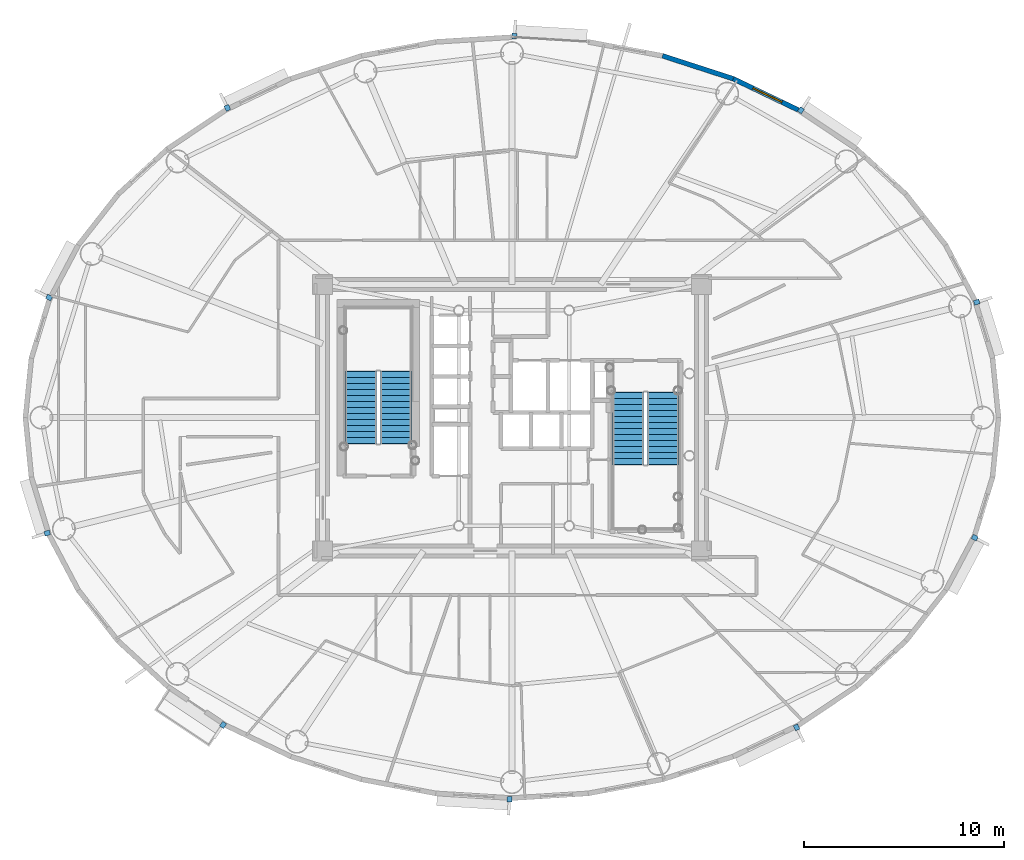
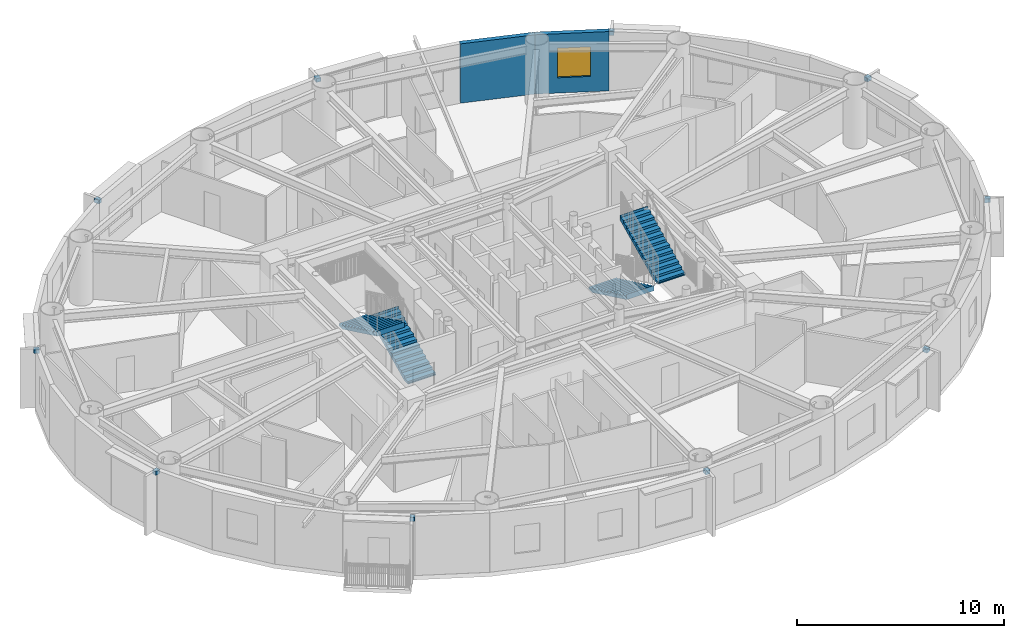
# One storey, part 12 of 19: 10 discrete accessories, 4 stair flights, 2 walls, 1 window, 1 opening, 2 elements without a shape of their own.
"""IFC4 building model written with IfcOpenShell, lengths in metres."""

from ifc_helpers import new_model, si_unit, direction, frame, frame_2d, origin, origin_2d, place, context, subcontext, project, spatial, polyline, rectangle, outline, extrude, source, transform, mapped, material, layer, layer_set, type_object, element, fill, aggregate, save


model = new_model("IFC4")

# Units and contexts
model_context = context("Model", 3, precision=1e-05, world=origin(), true_north=direction((0.0, 1.0)))
body_context = subcontext(model_context, "Body", "Model", "MODEL_VIEW")
ifc_project = project(units=[si_unit("LENGTHUNIT", "METRE"), si_unit("AREAUNIT", "SQUARE_METRE"), si_unit("VOLUMEUNIT", "CUBIC_METRE"), si_unit("PLANEANGLEUNIT", "RADIAN"), si_unit("MASSUNIT", "GRAM", prefix="KILO")], contexts=[model_context])

# Site, building, storey
site_placement = place(None, origin())
site = spatial("IfcSite", under=ifc_project, at=site_placement, CompositionType="ELEMENT")
building_placement = place(site_placement, origin())
building = spatial("IfcBuilding", under=site, at=building_placement, Name="Linh Dai School and Residence Tower", CompositionType="ELEMENT")
storey_placement = place(building_placement, frame((0.0, 0.0, 236.550048828125)))
storey = spatial("IfcBuildingStorey", under=building, at=storey_placement, Name="L58", CompositionType="ELEMENT", Elevation=236.550048828125)

# Wall, opening, window
ifc_material_1 = material(Name="Precast Concrete B45 (C35/45)", Category="concrete")
ifc_layer = layer(ifc_material_1, 0.239990234375)
ifc_layer_set = layer_set([ifc_layer], Name="Precast Concrete B45 (C35/45)")
wall_type = type_object("IfcWallType", Name="EW-TC-240", PredefinedType="SOLIDWALL", material=ifc_layer_set)
wall_1_placement = place(storey_placement, frame((47.031005859375, 43.906494140625, 0.0), z_axis=(0.0, 0.0, 1.0), x_axis=(0.901598104751, -0.432574684313, 0.0)))
wall_1 = element("IfcWall", 1, at=wall_1_placement, inside=storey, type_object=wall_type, Name="L58 Terracotta Exterior Wall 07", PredefinedType="SOLIDWALL", context=body_context, shape_type="SweptSolid", body=[
    extrude(rectangle(XDim=3.603515625, YDim=0.239990234375, at=frame_2d((1.8017578125, 0.0))), origin(), (0.0, 0.0, 1.0), 3.5),
])
opening_placement = place(wall_1_placement, frame((1.093994140625, 0.0, 0.89990234375)))
opening = element("IfcOpeningElement", 2, at=opening_placement, cuts=wall_1, Name="Opening W2", PredefinedType="OPENING", context=body_context, shape_type="SweptSolid", body=[
    extrude(rectangle(XDim=1.60009765625, YDim=1.75, at=origin_2d()), frame((0.800048828125, 0.1298828125, 0.875), z_axis=(0.0, -1.0, 0.0), x_axis=(1.0, 0.0, 0.0)), (0.0, 0.0, 1.0), 0.260009765625),
])
ifc_material_2 = material(Name="Double Low-E Insulated Glazing", Category="glass")
window_type = type_object("IfcWindowType", Name="WN-RES-1600x1750", PartitioningType="DOUBLE_PANEL_VERTICAL", PredefinedType="WINDOW", material=ifc_material_2)
shared_shape_1 = source(origin(), body_context, "Body", "SweptSolid", [
    extrude(rectangle(XDim=1.60009765625, YDim=1.75, at=origin_2d()), frame((0.800048828125, 0.030029296875, 0.875), z_axis=(0.0, -1.0, 0.0), x_axis=(1.0, 0.0, 0.0)), (0.0, 0.0, 1.0), 0.06005859375),
])
window_placement = place(opening_placement, origin())
window = element("IfcWindow", 3, at=window_placement, inside=storey, type_object=window_type, Name="L58 Exterior Window 07.1", OverallHeight=1.75, OverallWidth=1.60009765625, PartitioningType="DOUBLE_PANEL_VERTICAL", PredefinedType="WINDOW", context=body_context, shape_type="MappedRepresentation", body=[
    mapped(shared_shape_1, transform((0.0, 0.0, 0.0), x_axis=(1.0, 0.0, 0.0), y_axis=(0.0, 1.0, 0.0), z_axis=(0.0, 0.0, 1.0), scale=1.0)),
])
fill(opening, window)

# Wall
wall_2_placement = place(storey_placement, frame((43.50927734375, 45.048828125, 0.0), z_axis=(0.0, 0.0, 1.0), x_axis=(0.951210789182, -0.308541787354, 0.0)))
element("IfcWall", 4, at=wall_2_placement, inside=storey, type_object=wall_type, Name="L58 Terracotta Exterior Wall 08", PredefinedType="SOLIDWALL", context=body_context, shape_type="SweptSolid", body=[
    extrude(rectangle(XDim=3.702392578125, YDim=0.239990234375, at=frame_2d((1.85107421875, 0.0))), origin(), (0.0, 0.0, 1.0), 3.5),
])

# Stair, stair flights
ifc_material_3 = material(Name="Concrete B45 (C35/45)", Category="concrete")
stair_type = type_object("IfcStairType", Name="ST-DOG-1550-R1442", PredefinedType="HALF_TURN_STAIR", material=ifc_material_3)
stair_1_placement = place(storey_placement, origin())
stair_1 = element("IfcStair", 5, at=stair_1_placement, inside=storey, type_object=stair_type, Name="L58 Core Smokeproof Exit Stair ST1", PredefinedType="HALF_TURN_STAIR")
stair_flight_type = type_object("IfcStairFlightType", Name="STF-STR-1550-R1442", PredefinedType="STRAIGHT", material=ifc_material_3)
shared_shape_2 = source(origin(), body_context, "Body", "SweptSolid", [
    extrude(outline(polyline([(-0.02490234375, 0.0), (-0.02490234375, 0.06005859375), (0.0, 0.06005859375), (0.0, 0.144287109375), (0.300048828125, 0.144287109375), (0.300048828125, 0.28857421875), (0.60009765625, 0.28857421875), (0.60009765625, 0.4326171875), (0.89990234375, 0.4326171875), (0.89990234375, 0.576904296875), (1.199951171875, 0.576904296875), (1.199951171875, 0.72119140625), (1.5, 0.72119140625), (1.5, 0.865478515625), (1.800048828125, 0.865478515625), (1.800048828125, 1.009521484375), (2.10009765625, 1.009521484375), (2.10009765625, 1.15380859375), (2.39990234375, 1.15380859375), (2.39990234375, 1.298095703125), (2.699951171875, 1.298095703125), (2.699951171875, 1.4423828125), (3.0, 1.4423828125), (3.0, 1.58642578125), (3.300048828125, 1.58642578125), (3.300048828125, 1.730712890625), (3.60009765625, 1.730712890625), (3.60009765625, 1.875), (3.625, 1.875), (3.625, 1.564453125), (3.60009765625, 1.564453125), (0.345947265625, 0.0), (-0.02490234375, 0.0)])), frame((0.0, 0.77490234375, 0.0), z_axis=(0.0, -1.0, 0.0), x_axis=(1.0, 0.0, 0.0)), (0.0, 0.0, 1.0), 1.550048828125),
])
stair_flight_1_placement = place(storey_placement, frame((30.205078125, 25.699951171875, 0.0), z_axis=(0.0, 0.0, 1.0), x_axis=(0.0, 1.0, 0.0)))
stair_flight_1 = element("IfcStairFlight", 6, at=stair_flight_1_placement, type_object=stair_flight_type, Name="ST1 flight 1", NumberOfRisers=13, NumberOfTreads=12, PredefinedType="STRAIGHT", RiserHeight=0.144230769, TreadLength=0.3, context=body_context, shape_type="MappedRepresentation", body=[
    mapped(shared_shape_2, transform((0.0, 0.0, 0.0), x_axis=(1.0, 0.0, 0.0), y_axis=(0.0, 1.0, 0.0), z_axis=(0.0, 0.0, 1.0), scale=1.0)),
])
stair_flight_2_placement = place(storey_placement, frame((28.455078125, 29.300048828125, 1.875), z_axis=(0.0, 0.0, 1.0), x_axis=(0.0, -1.0, 0.0)))
stair_flight_2 = element("IfcStairFlight", 7, at=stair_flight_2_placement, type_object=stair_flight_type, Name="ST1 flight 2", NumberOfRisers=13, NumberOfTreads=12, PredefinedType="STRAIGHT", RiserHeight=0.144230769, TreadLength=0.3, context=body_context, shape_type="MappedRepresentation", body=[
    mapped(shared_shape_2, transform((0.0, 0.0, 0.0), x_axis=(1.0, 0.0, 0.0), y_axis=(0.0, 1.0, 0.0), z_axis=(0.0, 0.0, 1.0), scale=1.0)),
])
aggregate(stair_1, [stair_flight_1, stair_flight_2])

stair_2_placement = place(storey_placement, origin())
stair_2 = element("IfcStair", 8, at=stair_2_placement, inside=storey, type_object=stair_type, Name="L58 Core Smokeproof Exit Stair ST2", PredefinedType="HALF_TURN_STAIR")
stair_flight_3_placement = place(storey_placement, frame((41.794921875, 28.25, 0.0), z_axis=(0.0, 0.0, 1.0), x_axis=(0.0, -1.0, 0.0)))
stair_flight_3 = element("IfcStairFlight", 9, at=stair_flight_3_placement, type_object=stair_flight_type, Name="ST2 flight 1", NumberOfRisers=13, NumberOfTreads=12, PredefinedType="STRAIGHT", RiserHeight=0.144230769, TreadLength=0.3, context=body_context, shape_type="MappedRepresentation", body=[
    mapped(shared_shape_2, transform((0.0, 0.0, 0.0), x_axis=(1.0, 0.0, 0.0), y_axis=(0.0, 1.0, 0.0), z_axis=(0.0, 0.0, 1.0), scale=1.0)),
])
stair_flight_4_placement = place(storey_placement, frame((43.544921875, 24.64990234375, 1.875), z_axis=(0.0, 0.0, 1.0), x_axis=(0.0, 1.0, 0.0)))
stair_flight_4 = element("IfcStairFlight", 10, at=stair_flight_4_placement, type_object=stair_flight_type, Name="ST2 flight 2", NumberOfRisers=13, NumberOfTreads=12, PredefinedType="STRAIGHT", RiserHeight=0.144230769, TreadLength=0.3, context=body_context, shape_type="MappedRepresentation", body=[
    mapped(shared_shape_2, transform((0.0, 0.0, 0.0), x_axis=(1.0, 0.0, 0.0), y_axis=(0.0, 1.0, 0.0), z_axis=(0.0, 0.0, 1.0), scale=1.0)),
])
aggregate(stair_2, [stair_flight_3, stair_flight_4])

# Discrete accessories
ifc_material_4 = material(Name="Structural Steel S355JR", Category="steel")
discrete_accessory_type = type_object("IfcDiscreteAccessoryType", Name="ACC-BRK-S355", PredefinedType="BRACKET", material=ifc_material_4)
shared_shape_3 = source(origin(), body_context, "Body", "SweptSolid", [
    extrude(rectangle(XDim=0.280029296875, YDim=0.239990234375, at=origin_2d()), origin(), (0.0, 0.0, 1.0), 0.219970703125),
])
for number, where, z_axis, x_axis, name in (
    (11, (59.182861328125, 32.7587890625, 3.25), (0.0, 0.0, 1.0), (0.956064190994, 0.2931574026, 0.0), "L58 Facade Frame Anchor Bracket 02"),
    (12, (50.413330078125, 42.330810546875, 3.25), (0.0, 0.0, 1.0), (0.555887222025, 0.831257719597, 0.0), "L58 Facade Frame Anchor Bracket 06"),
    (13, (36.12353515625, 46.032470703125, 3.25), (0.0, 0.0, 1.0), (0.061504437922, 0.998106809974, 0.0), "L58 Facade Frame Anchor Bracket 10"),
    (14, (21.802001953125, 42.45361328125, 3.25), (0.0, 0.0, 1.0), (-0.432593941973, 0.901588864931, 0.0), "L58 Facade Frame Anchor Bracket 14"),
    (15, (12.912841796875, 32.989990234375, 3.25), (0.0, 0.0, 1.0), (-0.883928950783, 0.467621224891, 0.0), "L58 Facade Frame Anchor Bracket 18"),
    (16, (12.817138671875, 21.2412109375, 3.25), (0.0, 0.0, 1.0), (-0.956064190994, -0.2931574026, 0.0), "L58 Facade Frame Anchor Bracket 22"),
    (17, (21.586669921875, 11.669189453125, 3.25), (0.0, 0.0, 1.0), (-0.555887222025, -0.831257719597, 0.0), "L58 Facade Frame Anchor Bracket 26"),
    (18, (35.87646484375, 7.967529296875, 3.25), (0.0, 0.0, 1.0), (-0.061504437922, -0.998106809974, 0.0), "L58 Facade Frame Anchor Bracket 30"),
    (19, (50.197998046875, 11.54638671875, 3.25), (0.0, 0.0, 1.0), (0.432593941973, -0.901588864931, 0.0), "L58 Facade Frame Anchor Bracket 34"),
    (20, (59.087158203125, 21.010009765625, 3.25), (0.0, 0.0, 1.0), (0.883928950783, -0.467621224891, 0.0), "L58 Facade Frame Anchor Bracket 38"),
):
    element("IfcDiscreteAccessory", number, at=place(storey_placement, frame(where, z_axis=z_axis, x_axis=x_axis)), inside=storey, type_object=discrete_accessory_type, Name=name, PredefinedType="BRACKET", context=body_context, shape_type="MappedRepresentation", body=[
        mapped(shared_shape_3, transform((0.0, 0.0, 0.0), x_axis=(1.0, 0.0, 0.0), y_axis=(0.0, 1.0, 0.0), z_axis=(0.0, 0.0, 1.0), scale=1.0)),
    ])

save(model, "model.ifc")
